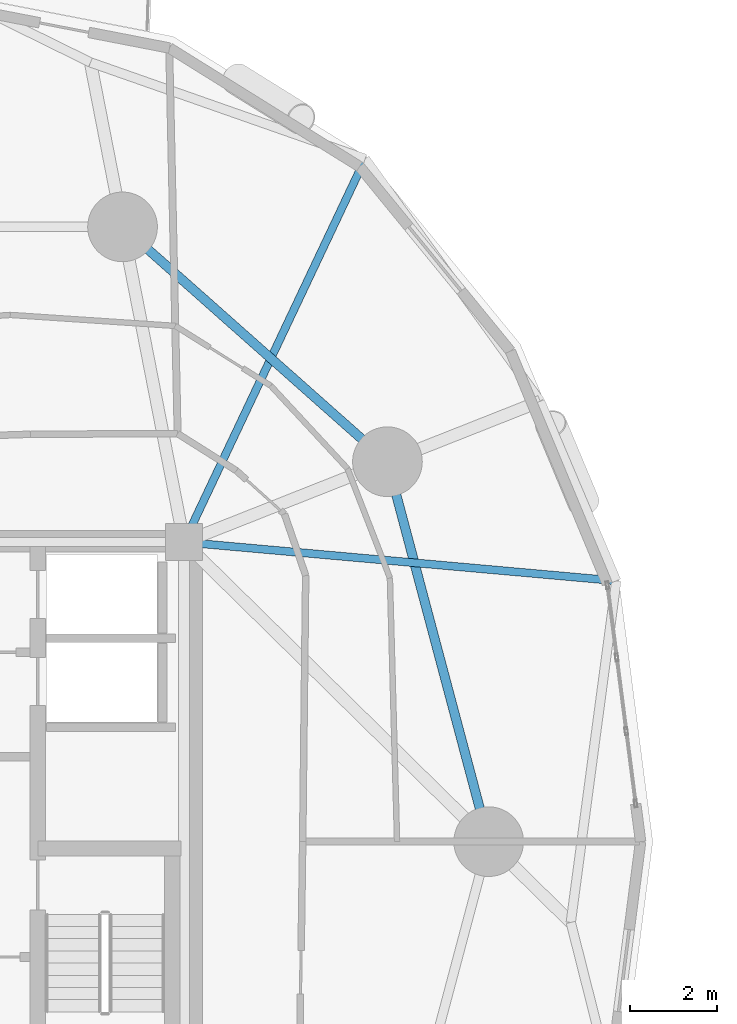
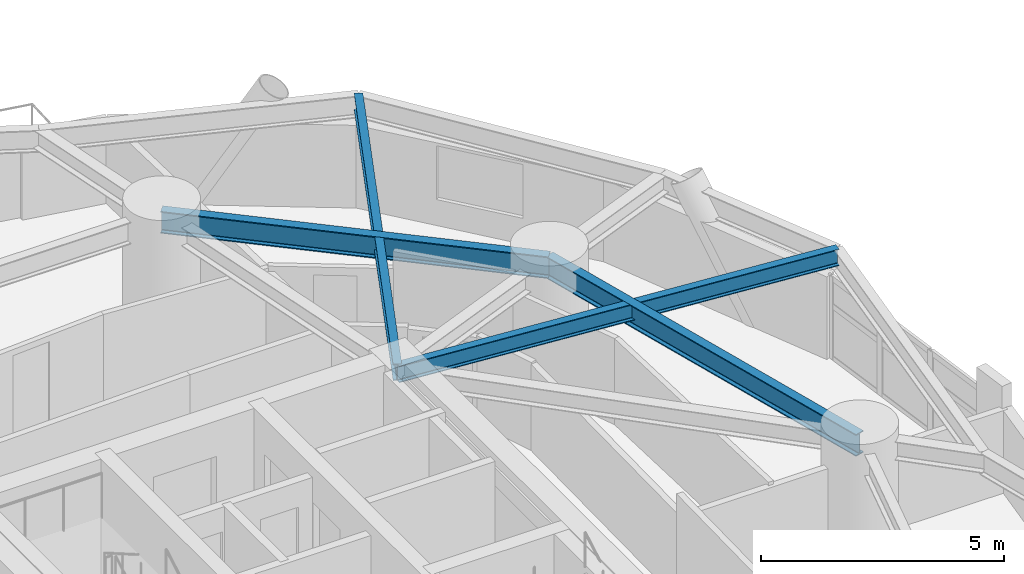
# One storey, part 3 of 17: 4 beams.
"""IFC4 building model written with IfcOpenShell, lengths in metres."""

import ifcopenshell
import ifcopenshell.guid

model = None  # the IFC model being written
_history = None  # IfcOwnerHistory: only IFC2X3 demands one
_inside = {}  # id of a spatial element -> (the spatial element, [elements in it])
_under = {}  # id of a project, library or spatial element -> (it, [spatial elements below it])
_declared = {}  # id of a project -> (the project, [libraries it declares])
_typed = {}  # id of a type object -> (the type object, [elements of that type])
_made_of = {}  # id of a material, layer set ... -> (it, [elements and type objects made of it])


def new_model(schema):
    """Start an empty IFC model of exactly this schema.

    Asked for "IFC4X3", IfcOpenShell would pick the latest addendum, in which some entities
    have other attributes; the version numbers below select the first issue.
    IFC2X3 requires an IfcOwnerHistory on every rooted entity: one is made here for all.
    """
    global model, _history
    if schema == "IFC4X3":
        model = ifcopenshell.file(schema_version=(4, 3, 0, 0))
    else:
        model = ifcopenshell.file(schema=schema)
    _inside.clear()
    _under.clear()
    _declared.clear()
    _typed.clear()
    _made_of.clear()
    _history = None
    if model.schema == "IFC2X3":
        org = make("IfcOrganization", Name="unknown")
        user = make(
            "IfcPersonAndOrganization",
            ThePerson=make("IfcPerson", FamilyName="unknown"),
            TheOrganization=org,
        )
        app = make(
            "IfcApplication",
            ApplicationDeveloper=org,
            Version="unknown",
            ApplicationFullName="unknown",
            ApplicationIdentifier="unknown",
        )
        _history = make(
            "IfcOwnerHistory",
            OwningUser=user,
            OwningApplication=app,
            ChangeAction="ADDED",
            CreationDate=0,
        )
    return model


def make(cls, **values):
    """One entity of the class cls with the attributes given. An attribute that is None is left unset."""
    return model.create_entity(
        cls, **{name: value for name, value in values.items() if value is not None}
    )


def rooted(cls, **values):
    """An entity with a GlobalId (a new one), such as an element, a storey or a relation."""
    return make(cls, GlobalId=ifcopenshell.guid.new(), OwnerHistory=_history, **values)


def si_unit(unit_type, name, prefix=None):
    """IfcSIUnit, for example si_unit("LENGTHUNIT", "METRE", prefix="MILLI")."""
    return make("IfcSIUnit", UnitType=unit_type, Prefix=prefix, Name=name)


def assignment(units):
    """IfcUnitAssignment: the units of a project."""
    return None if units is None else make("IfcUnitAssignment", Units=units)


def point(xyz):
    """IfcCartesianPoint."""
    return None if xyz is None else make("IfcCartesianPoint", Coordinates=xyz)


def direction(xyz):
    """IfcDirection."""
    return None if xyz is None else make("IfcDirection", DirectionRatios=xyz)


def frame(location, z_axis=None, x_axis=None):
    """IfcAxis2Placement3D, a coordinate frame: its origin and axes. An axis left out is left unset."""
    return make(
        "IfcAxis2Placement3D",
        Location=point(location),
        Axis=direction(z_axis),
        RefDirection=direction(x_axis),
    )


def frame_2d(location, x_axis=None):
    """IfcAxis2Placement2D, a coordinate frame in the plane: its origin and x axis."""
    return make(
        "IfcAxis2Placement2D", Location=point(location), RefDirection=direction(x_axis)
    )


def origin():
    """The frame at (0, 0, 0) with its axes left unset."""
    return frame((0.0, 0.0, 0.0))


def origin_2d():
    """The frame at (0, 0) in the plane with its x axis left unset."""
    return frame_2d((0.0, 0.0))


def place(relative_to, where):
    """IfcLocalPlacement: puts the frame where relative to a parent placement (None: the world)."""
    return make(
        "IfcLocalPlacement", PlacementRelTo=relative_to, RelativePlacement=where
    )


def context(
    kind, dimensions, precision=None, world=None, true_north=None, identifier=None
):
    """IfcGeometricRepresentationContext, for example the 3D "Model" context."""
    return make(
        "IfcGeometricRepresentationContext",
        ContextIdentifier=identifier,
        ContextType=kind,
        CoordinateSpaceDimension=dimensions,
        Precision=precision,
        WorldCoordinateSystem=world,
        TrueNorth=true_north,
    )


def subcontext(parent, identifier, kind, view, scale=None):
    """IfcGeometricRepresentationSubContext, for example "Body" below "Model"."""
    return make(
        "IfcGeometricRepresentationSubContext",
        ContextIdentifier=identifier,
        ContextType=kind,
        ParentContext=parent,
        TargetScale=scale,
        TargetView=view,
    )


def project(units=None, contexts=None):
    """IfcProject with its units and contexts."""
    return rooted(
        "IfcProject",
        Name="project",
        RepresentationContexts=contexts,
        UnitsInContext=assignment(units),
    )


def spatial(cls, under=None, at=None, **own):
    """A site, building, storey or space (cls), placed at a placement, below another one or the project."""
    s = rooted(cls, ObjectPlacement=at, **own)
    if under is not None:
        _under.setdefault(under.id(), (under, []))[1].append(s)
    return s


def profile(cls, at=None, kind="AREA", **sizes):
    """A parametric profile (cls). Its sizes go by their IFC names, for example OverallWidth=200.0."""
    return make(cls, ProfileType=kind, Position=at, **sizes)


def i_section(**sizes):
    """IfcIShapeProfileDef."""
    return profile("IfcIShapeProfileDef", **sizes)


def extrude(swept, where, along, depth):
    """IfcExtrudedAreaSolid: the profile swept, set in the frame where, extruded along a direction by depth."""
    return make(
        "IfcExtrudedAreaSolid",
        SweptArea=swept,
        Position=where,
        ExtrudedDirection=direction(along),
        Depth=depth,
    )


def shape(context_of_items, identifier, shape_type, items):
    """IfcShapeRepresentation: the items that make up one representation, for example the "Body"."""
    return make(
        "IfcShapeRepresentation",
        ContextOfItems=context_of_items,
        RepresentationIdentifier=identifier,
        RepresentationType=shape_type,
        Items=items,
    )


def material(Name=None, Category=None):
    """IfcMaterial."""
    return make("IfcMaterial", Name=Name, Category=Category)


def material_profile(
    of_material, cross_section, Name=None, Category=None, Priority=None
):
    """IfcMaterialProfile: a cross section and its material."""
    return make(
        "IfcMaterialProfile",
        Name=Name,
        Material=of_material,
        Profile=cross_section,
        Priority=Priority,
        Category=Category,
    )


def profile_set(profiles, Name=None, composite=None):
    """IfcMaterialProfileSet."""
    return make(
        "IfcMaterialProfileSet",
        Name=Name,
        MaterialProfiles=profiles,
        CompositeProfile=composite,
    )


def made_of(thing, what):
    """Note that an element or type object is made of a material, layer set ...; save() writes the relation."""
    if what is not None:
        _made_of.setdefault(what.id(), (what, []))[1].append(thing)
    return thing


def type_object(cls, material=None, **own):
    """A type object (cls), such as IfcWallType, which elements share."""
    return made_of(rooted(cls, **own), material)


def element(
    cls,
    number,
    at=None,
    inside=None,
    cuts=None,
    type_object=None,
    material=None,
    context=None,
    identifier="Body",
    shape_type=None,
    held_by="IfcProductDefinitionShape",
    body=None,
    shapes=None,
    **own,
):
    """One element of the class cls, such as IfcWall. Its Tag is "e" and its number.

    at: its placement. inside: the storey or other place that contains it. cuts: it is an
    opening in that element (IfcRelVoidsElement). A single representation is given by context,
    identifier, shape_type and body (its items); several are given by shapes. held_by: the class
    of the entity that holds the representations. save() writes the other relations.
    """
    e = rooted(cls, Tag="e%d" % number, ObjectPlacement=at, **own)
    if body is not None:
        shapes = [shape(context, identifier, shape_type, body)]
    if shapes is not None:
        e.Representation = make(held_by, Representations=shapes)
    if inside is not None:
        _inside.setdefault(inside.id(), (inside, []))[1].append(e)
    if cuts is not None:
        rooted(
            "IfcRelVoidsElement", RelatingBuildingElement=cuts, RelatedOpeningElement=e
        )
    if type_object is not None:
        _typed.setdefault(type_object.id(), (type_object, []))[1].append(e)
    return made_of(e, material)


def aggregate(whole, parts):
    """IfcRelAggregates: a whole, such as a stair, and the parts it consists of."""
    return rooted("IfcRelAggregates", RelatingObject=whole, RelatedObjects=parts)


def save(model, path):
    """Write the relations noted so far, then the file.

    IfcRelAggregates (storeys below a building ...), IfcRelContainedInSpatialStructure (elements
    in a storey), IfcRelDefinesByType, IfcRelAssociatesMaterial and IfcRelDeclares: one each for
    every whole, place, type object, material and project.
    """
    for whole, parts in _under.values():
        aggregate(whole, parts)
    for where, things in _inside.values():
        rooted(
            "IfcRelContainedInSpatialStructure",
            RelatedElements=things,
            RelatingStructure=where,
        )
    for kind, things in _typed.values():
        rooted("IfcRelDefinesByType", RelatedObjects=things, RelatingType=kind)
    for what, things in _made_of.values():
        rooted("IfcRelAssociatesMaterial", RelatedObjects=things, RelatingMaterial=what)
    for by, libraries in _declared.values():
        rooted("IfcRelDeclares", RelatingContext=by, RelatedDefinitions=libraries)
    model.write(path)


model = new_model("IFC4")

# Units and contexts
model_context = context("Model", 3, precision=1e-05, world=origin(), true_north=direction((0.0, 1.0)))
body_context = subcontext(model_context, "Body", "Model", "MODEL_VIEW")
ifc_project = project(units=[si_unit("LENGTHUNIT", "METRE"), si_unit("AREAUNIT", "SQUARE_METRE"), si_unit("VOLUMEUNIT", "CUBIC_METRE"), si_unit("PLANEANGLEUNIT", "RADIAN"), si_unit("MASSUNIT", "GRAM", prefix="KILO")], contexts=[model_context])

# Site, building, storey
site_placement = place(None, origin())
site = spatial("IfcSite", under=ifc_project, at=site_placement, CompositionType="ELEMENT")
building_placement = place(site_placement, origin())
building = spatial("IfcBuilding", under=site, at=building_placement, Name="Cununo Teusaquillo Station Towers", CompositionType="ELEMENT")
storey_placement = place(building_placement, frame((0.0, 0.0, 59.830078125)))
storey = spatial("IfcBuildingStorey", under=building, at=storey_placement, Name="L18", CompositionType="ELEMENT", Elevation=59.830078125)

# Beams
ifc_material_1 = material(Name="Steel ASTM A572 Grade 50", Category="steel")
ifc_material_profile_1 = material_profile(ifc_material_1, i_section(OverallWidth=0.180908203125, OverallDepth=0.4169921875, WebThickness=0.010986328125, FlangeThickness=0.018310546875, FilletRadius=0.012939453125, at=origin_2d()), Name="W16X57")
ifc_profile_set_1 = profile_set([ifc_material_profile_1], Name="Steel ASTM A572 Grade 50")
beam_type_1 = type_object("IfcBeamType", Name="BM-JOIST-1", PredefinedType="JOIST", material=ifc_profile_set_1)
beam_1_placement = place(storey_placement, frame((21.675048828125, 31.3798828125, 2.44140625), z_axis=(0.996024214913, -0.089082901314, 0.0), x_axis=(0.089082901314, 0.996024214913, 0.0)))
element("IfcBeam", 1, at=beam_1_placement, inside=storey, type_object=beam_type_1, Name="L18 Tower A Radial Spandrel Joist V01", PredefinedType="JOIST", context=body_context, shape_type="SweptSolid", body=[
    extrude(i_section(OverallWidth=0.180908203125, OverallDepth=0.4169921875, WebThickness=0.010986328125, FlangeThickness=0.018310546875, FilletRadius=0.012939453125, at=origin_2d()), origin(), (0.0, 0.0, 1.0), 9.97021484375),
])
beam_2_placement = place(storey_placement, frame((21.675048828125, 31.3798828125, 2.44140625), z_axis=(0.427160580437, 0.904175778552, 0.0), x_axis=(-0.904175778552, 0.427160580437, 0.0)))
element("IfcBeam", 2, at=beam_2_placement, inside=storey, type_object=beam_type_1, Name="L18 Tower A Radial Spandrel Joist V03", PredefinedType="JOIST", context=body_context, shape_type="SweptSolid", body=[
    extrude(i_section(OverallWidth=0.180908203125, OverallDepth=0.4169921875, WebThickness=0.010986328125, FlangeThickness=0.018310546875, FilletRadius=0.012939453125, at=origin_2d()), origin(), (0.0, 0.0, 1.0), 9.740234375),
])
ifc_material_2 = material(Name="Steel ASTM A572 Grade 50", Category="steel")
ifc_material_profile_2 = material_profile(ifc_material_2, i_section(OverallWidth=0.214111328125, OverallDepth=0.549072265625, WebThickness=0.0146484375, FlangeThickness=0.023681640625, FilletRadius=0.014892578125, at=origin_2d()), Name="W21X93")
ifc_profile_set_2 = profile_set([ifc_material_profile_2], Name="Steel ASTM A572 Grade 50")
beam_type_2 = type_object("IfcBeamType", Name="BM-RING-Z1", PredefinedType="SPANDREL", material=ifc_profile_set_2)
beam_3_placement = place(storey_placement, frame((28.672119140625, 24.5, 2.37548828125), z_axis=(-0.257363196347, 0.966314744359, 0.0), x_axis=(-0.966314744359, -0.257363196347, 0.0)))
element("IfcBeam", 3, at=beam_3_placement, inside=storey, type_object=beam_type_2, Name="L18 Tower A Structural Column Ring Girder 01", PredefinedType="SPANDREL", context=body_context, shape_type="SweptSolid", body=[
    extrude(i_section(OverallWidth=0.214111328125, OverallDepth=0.549072265625, WebThickness=0.0146484375, FlangeThickness=0.023681640625, FilletRadius=0.014892578125, at=origin_2d()), origin(), (0.0, 0.0, 1.0), 9.03271484375),
])
beam_4_placement = place(storey_placement, frame((26.347412109375, 33.228515625, 2.37548828125), z_axis=(-0.74832120039, 0.66333655187, 0.0), x_axis=(-0.66333655187, -0.74832120039, 0.0)))
element("IfcBeam", 4, at=beam_4_placement, inside=storey, type_object=beam_type_2, Name="L18 Tower A Structural Column Ring Girder 02", PredefinedType="SPANDREL", context=body_context, shape_type="SweptSolid", body=[
    extrude(i_section(OverallWidth=0.214111328125, OverallDepth=0.549072265625, WebThickness=0.0146484375, FlangeThickness=0.023681640625, FilletRadius=0.014892578125, at=origin_2d()), origin(), (0.0, 0.0, 1.0), 8.1328125),
])

save(model, "model.ifc")
